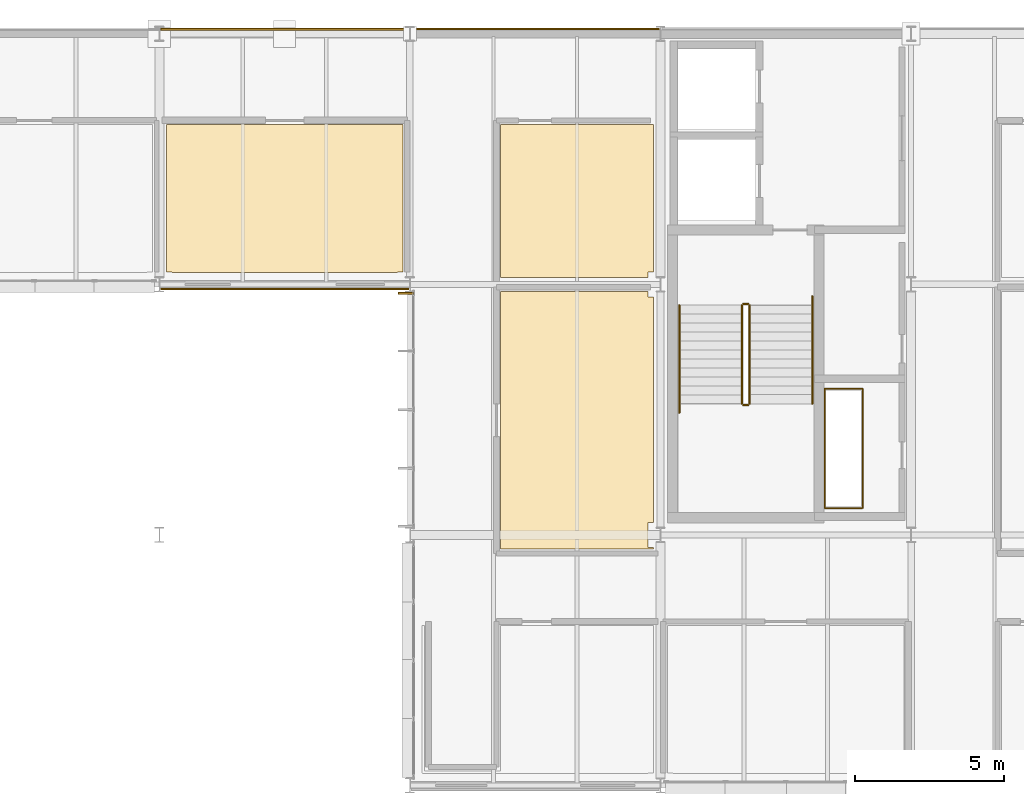
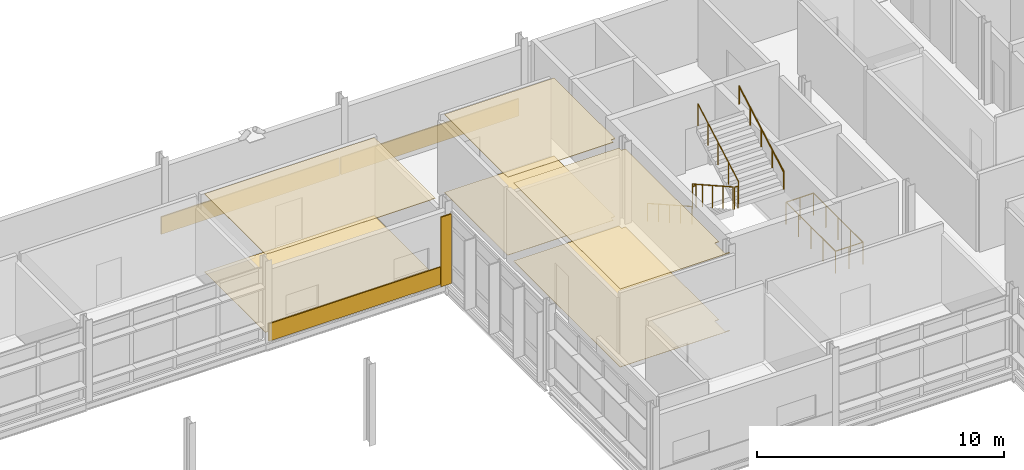
# One storey, part 129 of 131: 9 coverings, 7 railings, 1 shading device.
"""IFC4 building model written with IfcOpenShell, lengths in metres."""

from ifc_helpers import new_model, si_unit, direction, frame, origin, origin_2d, place, context, subcontext, project, spatial, polyline, rectangle, circle, outline, extrude, material, layer, layer_set, type_object, element, save


model = new_model("IFC4")

# Units and contexts
model_context = context("Model", 3, precision=1e-05, world=origin(), true_north=direction((0.0, 1.0)))
body_context = subcontext(model_context, "Body", "Model", "MODEL_VIEW")
ifc_project = project(units=[si_unit("LENGTHUNIT", "METRE"), si_unit("AREAUNIT", "SQUARE_METRE"), si_unit("VOLUMEUNIT", "CUBIC_METRE"), si_unit("PLANEANGLEUNIT", "RADIAN"), si_unit("MASSUNIT", "GRAM", prefix="KILO")], contexts=[model_context])

# Site, building, storey
site_placement = place(None, origin())
site = spatial("IfcSite", under=ifc_project, at=site_placement, CompositionType="ELEMENT")
building_placement = place(site_placement, origin())
building = spatial("IfcBuilding", under=site, at=building_placement, Name="Mersafa Astral City Hall", CompositionType="ELEMENT")
storey_placement = place(building_placement, frame((0.0, 0.0, 13.949951171875)))
storey = spatial("IfcBuildingStorey", under=building, at=storey_placement, Name="L03", CompositionType="ELEMENT", Elevation=13.949951171875)

# Coverings
ifc_material_1 = material(Name="Cairo Mokattam buff limestone cladding", Category="masonry")
ifc_layer_1 = layer(ifc_material_1, 0.06005859375, Name="Cairo Mokattam buff limestone cladding")
ifc_layer_set_1 = layer_set([ifc_layer_1], Name="Cairo Mokattam buff limestone cladding — ENV-COV-LIMESTONE-60")
covering_type_1 = type_object("IfcCoveringType", Name="ENV-COV-LIMESTONE-60", PredefinedType="CLADDING", material=ifc_layer_set_1)
for number, where, z_axis, x_axis, name in (
    (1, (138.60009765625, 117.445556640625, 0.0), (0.0, 0.0, 1.0), (1.0, 0.0, 0.0), "L03 Cairo buff limestone rainscreen cladding 223"),
    (2, (147.0, 126.162109375, 0.0), (0.0, 0.0, 1.0), (-1.0, 0.0, 0.0), "L03 Cairo buff limestone rainscreen cladding 240"),
    (3, (138.60009765625, 126.154541015625, 0.0), (0.0, 0.0, 1.0), (-1.0, 0.0, 0.0), "L03 Cairo buff limestone rainscreen cladding 241"),
):
    element("IfcCovering", number, at=place(storey_placement, frame(where, z_axis=z_axis, x_axis=x_axis)), inside=storey, type_object=covering_type_1, Name=name, PredefinedType="CLADDING", context=body_context, shape_type="SweptSolid", body=[
        extrude(rectangle(XDim=8.323974609375, YDim=0.06005859375, at=origin_2d()), origin(), (0.0, 0.0, 1.0), 0.860107421875),
    ])

# Shading device
ifc_material_2 = material(Name="Anodised bronze aluminium solar fin", Category="aluminium")
shading_device_type = type_object("IfcShadingDeviceType", Name="ENV-SHD-FIN-500A", PredefinedType="USERDEFINED", material=ifc_material_2)
shading_device_placement = place(storey_placement, frame((142.655029296875, 117.30810546875, -0.014892578125), z_axis=(0.0, 0.0, 1.0), x_axis=(0.0, -1.0, 0.0)))
element("IfcShadingDevice", 4, at=shading_device_placement, inside=storey, type_object=shading_device_type, Name="L03 Vertical bronze solar fin 1023", ObjectType="FIN", PredefinedType="USERDEFINED", context=body_context, shape_type="SweptSolid", body=[
    extrude(rectangle(XDim=0.06005859375, YDim=0.5, at=origin_2d()), origin(), (0.0, 0.0, 1.0), 3.43701171875),
])

# Railings
ifc_material_3 = material(Name="Painted architectural steel stair guard balustrade", Category="steel")
railing_type_1 = type_object("IfcRailingType", Name="GUARD-RAIL", PredefinedType="BALUSTRADE", material=ifc_material_3)
railing_1_placement = place(storey_placement, frame((153.929931640625, 116.89990234375, 0.168701171875)))
element("IfcRailing", 5, at=railing_1_placement, inside=storey, type_object=railing_type_1, Name="L03 ST1 stair guard 1", PredefinedType="BALUSTRADE", context=body_context, shape_type="SweptSolid", body=[
    extrude(circle(Radius=0.02392578125, at=origin_2d()), frame((0.0, 0.0, 1.09619140625), z_axis=(0.0, -0.871541093455, 0.490322467789), x_axis=(1.0, 0.0, 0.0)), (0.0, 0.0, 1.0), 3.7861328125),
    extrude(circle(Radius=0.02099609375, at=origin_2d()), origin(), (0.0, 0.0, 1.0), 1.072021484375),
    extrude(circle(Radius=0.02099609375, at=origin_2d()), frame((0.0, -0.824951171875, 0.464111328125)), (0.0, 0.0, 1.0), 1.072021484375),
    extrude(circle(Radius=0.02099609375, at=origin_2d()), frame((0.0, -1.64990234375, 0.92822265625)), (0.0, 0.0, 1.0), 1.072021484375),
    extrude(circle(Radius=0.02099609375, at=origin_2d()), frame((0.0, -2.474853515625, 1.392333984375)), (0.0, 0.0, 1.0), 1.072021484375),
    extrude(circle(Radius=0.02099609375, at=origin_2d()), frame((0.0, -3.2998046875, 1.8564453125)), (0.0, 0.0, 1.0), 1.072021484375),
])
railing_2_placement = place(storey_placement, frame((153.97998046875, 113.550048828125, 2.025146484375)))
element("IfcRailing", 6, at=railing_2_placement, inside=storey, type_object=railing_type_1, Name="L03 ST1 stair guard 2", PredefinedType="BALUSTRADE", context=body_context, shape_type="SweptSolid", body=[
    extrude(circle(Radius=0.02392578125, at=origin_2d()), frame((0.0, 0.0, 1.09619140625), z_axis=(1.0, 0.0, 0.0), x_axis=(0.0, 1.0, 0.0)), (0.0, 0.0, 1.0), 0.159912109375),
    extrude(circle(Radius=0.02099609375, at=origin_2d()), origin(), (0.0, 0.0, 1.0), 1.072021484375),
    extrude(circle(Radius=0.02099609375, at=origin_2d()), frame((0.159912109375, 0.0, 0.0)), (0.0, 0.0, 1.0), 1.072021484375),
])
railing_3_placement = place(storey_placement, frame((154.18994140625, 113.60009765625, 2.19384765625)))
element("IfcRailing", 7, at=railing_3_placement, inside=storey, type_object=railing_type_1, Name="L03 ST1 stair guard 3", PredefinedType="BALUSTRADE", context=body_context, shape_type="SweptSolid", body=[
    extrude(circle(Radius=0.02392578125, at=origin_2d()), frame((0.0, 0.0, 1.09619140625), z_axis=(0.0, 0.871568648517, 0.490273485845), x_axis=(-1.0, 0.0, 0.0)), (0.0, 0.0, 1.0), 3.7861328125),
    extrude(circle(Radius=0.02099609375, at=origin_2d()), origin(), (0.0, 0.0, 1.0), 1.072021484375),
    extrude(circle(Radius=0.02099609375, at=origin_2d()), frame((0.0, 0.824951171875, 0.464111328125)), (0.0, 0.0, 1.0), 1.072021484375),
    extrude(circle(Radius=0.02099609375, at=origin_2d()), frame((0.0, 1.64990234375, 0.92822265625)), (0.0, 0.0, 1.0), 1.072021484375),
    extrude(circle(Radius=0.02099609375, at=origin_2d()), frame((0.0, 2.474853515625, 1.39208984375)), (0.0, 0.0, 1.0), 1.072021484375),
    extrude(circle(Radius=0.02099609375, at=origin_2d()), frame((0.0, 3.2998046875, 1.856201171875)), (0.0, 0.0, 1.0), 1.072021484375),
])
railing_4_placement = place(storey_placement, frame((153.97998046875, 116.949951171875, 0.0)))
element("IfcRailing", 8, at=railing_4_placement, inside=storey, type_object=railing_type_1, Name="L03 ST1 stair guard 4", PredefinedType="BALUSTRADE", context=body_context, shape_type="SweptSolid", body=[
    extrude(circle(Radius=0.02392578125, at=origin_2d()), frame((0.0, 0.0, 1.09619140625), z_axis=(1.0, 0.0, 0.0), x_axis=(0.0, 1.0, 0.0)), (0.0, 0.0, 1.0), 0.159912109375),
    extrude(circle(Radius=0.02099609375, at=origin_2d()), origin(), (0.0, 0.0, 1.0), 1.072021484375),
    extrude(circle(Radius=0.02099609375, at=origin_2d()), frame((0.159912109375, 0.0, 0.0)), (0.0, 0.0, 1.0), 1.072021484375),
])
railing_5_placement = place(storey_placement, frame((156.699951171875, 110.10009765625, 0.0)))
element("IfcRailing", 9, at=railing_5_placement, inside=storey, type_object=railing_type_1, Name="L03 K1 MEP Riser Shaft Guard", PredefinedType="BALUSTRADE", context=body_context, shape_type="SweptSolid", body=[
    extrude(circle(Radius=0.02392578125, at=origin_2d()), frame((0.0, 0.0, 1.09619140625), z_axis=(1.0, 0.0, 0.0), x_axis=(0.0, 1.0, 0.0)), (0.0, 0.0, 1.0), 1.280029296875),
    extrude(circle(Radius=0.02392578125, at=origin_2d()), frame((1.280029296875, 0.0, 1.09619140625), z_axis=(0.0, 1.0, 0.0), x_axis=(-1.0, 0.0, 0.0)), (0.0, 0.0, 1.0), 4.0),
    extrude(circle(Radius=0.02392578125, at=origin_2d()), frame((1.280029296875, 4.0, 1.09619140625), z_axis=(-1.0, 0.0, 0.0), x_axis=(0.0, -1.0, 0.0)), (0.0, 0.0, 1.0), 1.280029296875),
    extrude(circle(Radius=0.02392578125, at=origin_2d()), frame((0.0, 4.0, 1.09619140625), z_axis=(0.0, -1.0, 0.0), x_axis=(1.0, 0.0, 0.0)), (0.0, 0.0, 1.0), 4.0),
    extrude(circle(Radius=0.02099609375, at=origin_2d()), origin(), (0.0, 0.0, 1.0), 1.072021484375),
    extrude(circle(Radius=0.02099609375, at=origin_2d()), frame((0.64013671875, 0.0, 0.0)), (0.0, 0.0, 1.0), 1.072021484375),
    extrude(circle(Radius=0.02099609375, at=origin_2d()), frame((1.280029296875, 0.0, 0.0)), (0.0, 0.0, 1.0), 1.072021484375),
    extrude(circle(Radius=0.02099609375, at=origin_2d()), frame((1.280029296875, 1.0, 0.0)), (0.0, 0.0, 1.0), 1.072021484375),
    extrude(circle(Radius=0.02099609375, at=origin_2d()), frame((1.280029296875, 2.0, 0.0)), (0.0, 0.0, 1.0), 1.072021484375),
    extrude(circle(Radius=0.02099609375, at=origin_2d()), frame((1.280029296875, 3.0, 0.0)), (0.0, 0.0, 1.0), 1.072021484375),
    extrude(circle(Radius=0.02099609375, at=origin_2d()), frame((1.280029296875, 4.0, 0.0)), (0.0, 0.0, 1.0), 1.072021484375),
    extrude(circle(Radius=0.02099609375, at=origin_2d()), frame((0.64013671875, 4.0, 0.0)), (0.0, 0.0, 1.0), 1.072021484375),
    extrude(circle(Radius=0.02099609375, at=origin_2d()), frame((0.0, 4.0, 0.0)), (0.0, 0.0, 1.0), 1.072021484375),
    extrude(circle(Radius=0.02099609375, at=origin_2d()), frame((0.0, 3.0, 0.0)), (0.0, 0.0, 1.0), 1.072021484375),
    extrude(circle(Radius=0.02099609375, at=origin_2d()), frame((0.0, 2.0, 0.0)), (0.0, 0.0, 1.0), 1.072021484375),
    extrude(circle(Radius=0.02099609375, at=origin_2d()), frame((0.0, 1.0, 0.0)), (0.0, 0.0, 1.0), 1.072021484375),
])
ifc_material_4 = material(Name="Brushed stainless steel tubular handrail", Category="steel")
railing_type_2 = type_object("IfcRailingType", Name="HANDRAIL", PredefinedType="HANDRAIL", material=ifc_material_4)
railing_6_placement = place(storey_placement, frame((151.830078125, 116.89990234375, 0.168701171875)))
element("IfcRailing", 10, at=railing_6_placement, inside=storey, type_object=railing_type_2, Name="L03 ST1 stair handrail 1", PredefinedType="HANDRAIL", context=body_context, shape_type="SweptSolid", body=[
    extrude(circle(Radius=0.02392578125, at=origin_2d()), frame((0.0, 0.0, 0.8759765625), z_axis=(0.0, -0.871248695433, 0.49084183879), x_axis=(1.0, 0.0, 0.0)), (0.0, 0.0, 1.0), 4.1318359375),
    extrude(circle(Radius=0.02099609375, at=origin_2d()), origin(), (0.0, 0.0, 1.0), 0.851806640625),
    extrude(circle(Radius=0.02099609375, at=origin_2d()), frame((0.0, -0.89990234375, 0.507080078125)), (0.0, 0.0, 1.0), 0.851806640625),
    extrude(circle(Radius=0.02099609375, at=origin_2d()), frame((0.0, -1.7998046875, 1.01416015625)), (0.0, 0.0, 1.0), 0.851806640625),
    extrude(circle(Radius=0.02099609375, at=origin_2d()), frame((0.0, -2.699951171875, 1.52099609375)), (0.0, 0.0, 1.0), 0.851806640625),
    extrude(circle(Radius=0.02099609375, at=origin_2d()), frame((0.0, -3.599853515625, 2.028076171875)), (0.0, 0.0, 1.0), 0.851806640625),
])
railing_7_placement = place(storey_placement, frame((156.2900390625, 113.60009765625, 2.19384765625)))
element("IfcRailing", 11, at=railing_7_placement, inside=storey, type_object=railing_type_2, Name="L03 ST1 stair handrail 2", PredefinedType="HANDRAIL", context=body_context, shape_type="SweptSolid", body=[
    extrude(circle(Radius=0.02392578125, at=origin_2d()), frame((0.0, 0.0, 0.8759765625), z_axis=(0.0, 0.871273963605, 0.490796984856), x_axis=(-1.0, 0.0, 0.0)), (0.0, 0.0, 1.0), 4.131591796875),
    extrude(circle(Radius=0.02099609375, at=origin_2d()), origin(), (0.0, 0.0, 1.0), 0.851806640625),
    extrude(circle(Radius=0.02099609375, at=origin_2d()), frame((0.0, 0.89990234375, 0.5068359375)), (0.0, 0.0, 1.0), 0.851806640625),
    extrude(circle(Radius=0.02099609375, at=origin_2d()), frame((0.0, 1.7998046875, 1.013916015625)), (0.0, 0.0, 1.0), 0.851806640625),
    extrude(circle(Radius=0.02099609375, at=origin_2d()), frame((0.0, 2.699951171875, 1.52099609375)), (0.0, 0.0, 1.0), 0.851806640625),
    extrude(circle(Radius=0.02099609375, at=origin_2d()), frame((0.0, 3.599853515625, 2.02783203125)), (0.0, 0.0, 1.0), 0.851806640625),
])

# Coverings
ifc_material_5 = material(Name="Perforated acoustic gypsum board ceiling", Category="gypsum")
ifc_layer_2 = layer(ifc_material_5, 0.02490234375, Name="Perforated acoustic gypsum board ceiling")
ifc_layer_set_2 = layer_set([ifc_layer_2], Name="Perforated acoustic gypsum board ceiling — INT-COV-CEIL-25")
covering_type_2 = type_object("IfcCoveringType", Name="INT-COV-CEIL-25", PredefinedType="CEILING", material=ifc_layer_set_2)
covering_1_placement = place(storey_placement, frame((0.0, 0.0, 3.845947265625)))
element("IfcCovering", 12, at=covering_1_placement, inside=storey, type_object=covering_type_2, Name="L03 Urban Planning Studio L03-11 acoustic ceiling", PredefinedType="CEILING", context=body_context, shape_type="SweptSolid", body=[
    extrude(outline(polyline([(150.780029296875, 117.3701171875), (150.780029296875, 117.179931640625), (150.969970703125, 117.179931640625), (150.969970703125, 109.6201171875), (150.780029296875, 109.6201171875), (150.780029296875, 108.780029296875), (150.969970703125, 108.780029296875), (150.969970703125, 108.719970703125), (145.840087890625, 108.719970703125), (145.840087890625, 117.3701171875), (150.780029296875, 117.3701171875)])), origin(), (0.0, 0.0, 1.0), 0.025146484375),
])
covering_2_placement = place(storey_placement, frame((0.0, 0.0, 3.845947265625)))
element("IfcCovering", 13, at=covering_2_placement, inside=storey, type_object=covering_type_2, Name="L03 Municipal Finance & Treasury Office L03-22 acoustic ceiling", PredefinedType="CEILING", context=body_context, shape_type="SweptSolid", body=[
    extrude(outline(polyline([(142.570068359375, 122.9599609375), (142.570068359375, 118.02001953125), (142.3798828125, 118.02001953125), (142.3798828125, 118.0), (134.820068359375, 118.0), (134.820068359375, 118.02001953125), (134.6298828125, 118.02001953125), (134.6298828125, 122.9599609375), (142.570068359375, 122.9599609375)])), origin(), (0.0, 0.0, 1.0), 0.025146484375),
])
covering_3_placement = place(storey_placement, frame((0.0, 0.0, 3.845947265625)))
element("IfcCovering", 14, at=covering_3_placement, inside=storey, type_object=covering_type_2, Name="L03 Urban Planning Studio L03-29 acoustic ceiling", PredefinedType="CEILING", context=body_context, shape_type="SweptSolid", body=[
    extrude(outline(polyline([(150.969970703125, 118.02001953125), (150.780029296875, 118.02001953125), (150.780029296875, 117.830078125), (145.840087890625, 117.830078125), (145.840087890625, 122.9599609375), (150.969970703125, 122.9599609375), (150.969970703125, 118.02001953125)])), origin(), (0.0, 0.0, 1.0), 0.025146484375),
])
ifc_material_6 = material(Name="Heavy-duty woven acoustic carpet tile", Category="finish")
ifc_layer_3 = layer(ifc_material_6, 0.014892578125, Name="Heavy-duty woven acoustic carpet tile")
ifc_layer_set_3 = layer_set([ifc_layer_3], Name="Heavy-duty woven acoustic carpet tile — INT-COV-FLR-15")
covering_type_3 = type_object("IfcCoveringType", Name="INT-COV-FLR-15", PredefinedType="FLOORING", material=ifc_layer_set_3)
covering_4_placement = place(storey_placement, frame((0.0, 0.0, -0.00146484375)))
element("IfcCovering", 15, at=covering_4_placement, inside=storey, type_object=covering_type_3, Name="L03 Urban Planning Studio L03-11 architectural flooring", PredefinedType="FLOORING", context=body_context, shape_type="SweptSolid", body=[
    extrude(outline(polyline([(150.780029296875, 117.3701171875), (150.780029296875, 117.179931640625), (150.969970703125, 117.179931640625), (150.969970703125, 109.6201171875), (150.780029296875, 109.6201171875), (150.780029296875, 108.780029296875), (150.969970703125, 108.780029296875), (150.969970703125, 108.719970703125), (145.840087890625, 108.719970703125), (145.840087890625, 117.3701171875), (150.780029296875, 117.3701171875)])), origin(), (0.0, 0.0, 1.0), 0.014892578125),
])
covering_5_placement = place(storey_placement, frame((0.0, 0.0, -0.00146484375)))
element("IfcCovering", 16, at=covering_5_placement, inside=storey, type_object=covering_type_3, Name="L03 Municipal Finance & Treasury Office L03-22 architectural flooring", PredefinedType="FLOORING", context=body_context, shape_type="SweptSolid", body=[
    extrude(outline(polyline([(142.570068359375, 122.9599609375), (142.570068359375, 118.02001953125), (142.3798828125, 118.02001953125), (142.3798828125, 118.0), (134.820068359375, 118.0), (134.820068359375, 118.02001953125), (134.6298828125, 118.02001953125), (134.6298828125, 122.9599609375), (142.570068359375, 122.9599609375)])), origin(), (0.0, 0.0, 1.0), 0.014892578125),
])
covering_6_placement = place(storey_placement, frame((0.0, 0.0, -0.00146484375)))
element("IfcCovering", 17, at=covering_6_placement, inside=storey, type_object=covering_type_3, Name="L03 Urban Planning Studio L03-29 architectural flooring", PredefinedType="FLOORING", context=body_context, shape_type="SweptSolid", body=[
    extrude(outline(polyline([(150.969970703125, 118.02001953125), (150.780029296875, 118.02001953125), (150.780029296875, 117.830078125), (145.840087890625, 117.830078125), (145.840087890625, 122.9599609375), (150.969970703125, 122.9599609375), (150.969970703125, 118.02001953125)])), origin(), (0.0, 0.0, 1.0), 0.014892578125),
])

save(model, "model.ifc")
